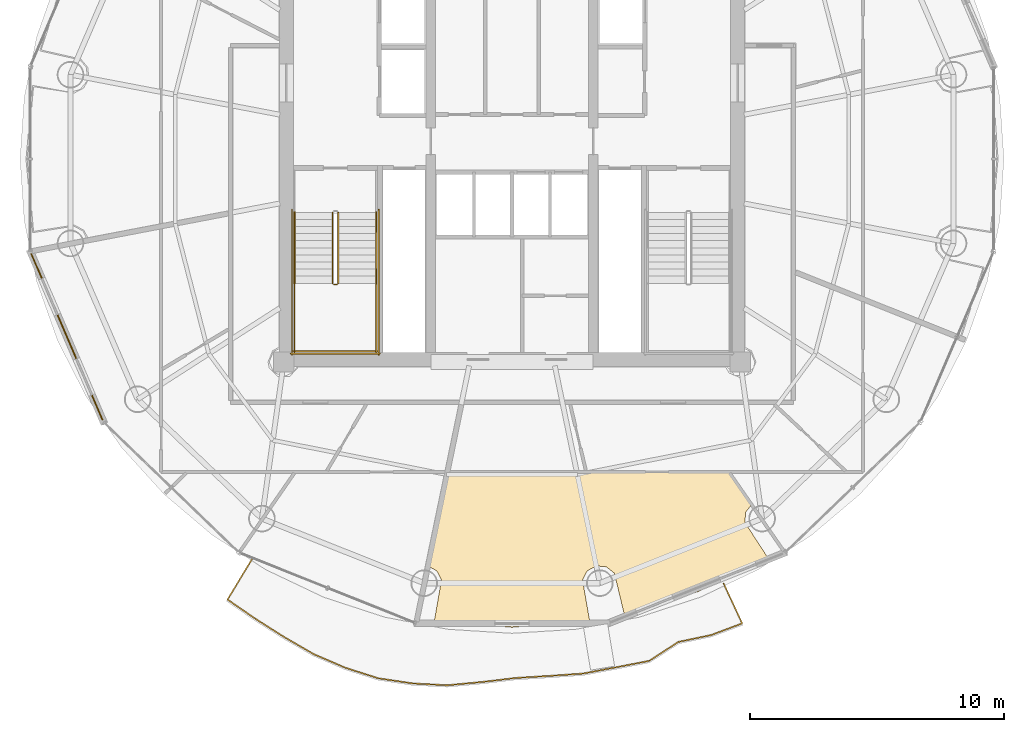
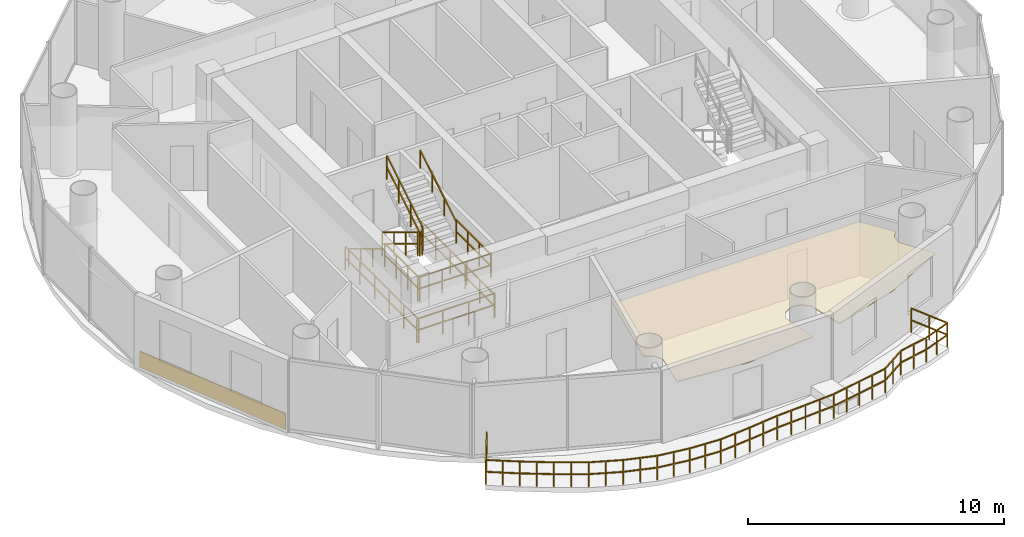
# One storey, part 21 of 23: 12 railings, 2 coverings.
"""IFC4 building model written with IfcOpenShell, lengths in metres."""

from ifc_helpers import new_model, si_unit, direction, frame, origin, origin_2d, place, context, subcontext, project, spatial, polyline, rectangle, outline, extrude, source, transform, mapped, material, layer, layer_set, type_object, element, save


model = new_model("IFC4")

# Units and contexts
model_context = context("Model", 3, precision=1e-05, world=origin(), true_north=direction((-0.2419218956, 0.970295726276)))
body_context = subcontext(model_context, "Body", "Model", "MODEL_VIEW")
ifc_project = project(units=[si_unit("LENGTHUNIT", "METRE"), si_unit("AREAUNIT", "SQUARE_METRE"), si_unit("VOLUMEUNIT", "CUBIC_METRE"), si_unit("PLANEANGLEUNIT", "RADIAN"), si_unit("MASSUNIT", "GRAM", prefix="KILO")], contexts=[model_context])

# Site, building, storey
site_placement = place(None, origin())
site = spatial("IfcSite", under=ifc_project, at=site_placement, CompositionType="ELEMENT")
building_placement = place(site_placement, origin())
building = spatial("IfcBuilding", under=site, at=building_placement, Name="Cobrevalo Terracotta Tower", CompositionType="ELEMENT")
storey_placement = place(building_placement, frame((0.0, 0.0, 248.199951171875)))
storey = spatial("IfcBuildingStorey", under=building, at=storey_placement, Name="L65", CompositionType="ELEMENT", Elevation=248.199951171875)

# Railing
ifc_material_1 = material(Name="Laminated structural glass and stainless steel", Category="steel")
railing_type_1 = type_object("IfcRailingType", Name="Balcony lobe structural glass & terracotta-cap balustrade 1180 mm", PredefinedType="BALUSTRADE", material=ifc_material_1)
railing_1_placement = place(storey_placement, frame((27.765380859375, 11.056640625, 0.0)))
element("IfcRailing", 1, at=railing_1_placement, inside=storey, type_object=railing_type_1, Name="L65 spiralling balcony lobe balustrade 2", PredefinedType="BALUSTRADE", context=body_context, shape_type="SweptSolid", body=[
    extrude(rectangle(XDim=0.048095703125, YDim=0.048095703125, at=origin_2d()), frame((0.0, 0.0, 1.15576171875), z_axis=(-0.517082299102, -0.855935684473, 0.0), x_axis=(0.855935684473, -0.517082299102, 0.0)), (0.0, 0.0, 1.0), 1.89990234375),
    extrude(rectangle(XDim=0.048095703125, YDim=0.048095703125, at=origin_2d()), frame((0.0, 0.0, 0.58984375), z_axis=(-0.517082299102, -0.855935684473, 0.0), x_axis=(0.855935684473, -0.517082299102, 0.0)), (0.0, 0.0, 1.0), 1.89990234375),
    extrude(rectangle(XDim=0.048095703125, YDim=0.048095703125, at=origin_2d()), frame((-0.982421875, -1.626220703125, 1.15576171875), z_axis=(0.823150569182, -0.567823159492, 0.0), x_axis=(0.567823159492, 0.823150569182, 0.0)), (0.0, 0.0, 1.0), 1.328125),
    extrude(rectangle(XDim=0.048095703125, YDim=0.048095703125, at=origin_2d()), frame((-0.982421875, -1.626220703125, 0.58984375), z_axis=(0.823150569182, -0.567823159492, 0.0), x_axis=(0.567823159492, 0.823150569182, 0.0)), (0.0, 0.0, 1.0), 1.328125),
    extrude(rectangle(XDim=0.048095703125, YDim=0.048095703125, at=origin_2d()), frame((0.11083984375, -2.38037109375, 1.15576171875), z_axis=(0.844214118979, -0.536006083282, 0.0), x_axis=(0.536006083282, 0.844214118979, 0.0)), (0.0, 0.0, 1.0), 1.344970703125),
    extrude(rectangle(XDim=0.048095703125, YDim=0.048095703125, at=origin_2d()), frame((0.11083984375, -2.38037109375, 0.58984375), z_axis=(0.844214118979, -0.536006083282, 0.0), x_axis=(0.536006083282, 0.844214118979, 0.0)), (0.0, 0.0, 1.0), 1.344970703125),
    extrude(rectangle(XDim=0.048095703125, YDim=0.048095703125, at=origin_2d()), frame((1.246337890625, -3.101318359375, 1.15576171875), z_axis=(0.865775018016, -0.500433430318, 0.0), x_axis=(0.500433430318, 0.865775018016, 0.0)), (0.0, 0.0, 1.0), 1.357177734375),
    extrude(rectangle(XDim=0.048095703125, YDim=0.048095703125, at=origin_2d()), frame((1.246337890625, -3.101318359375, 0.58984375), z_axis=(0.865775018016, -0.500433430318, 0.0), x_axis=(0.500433430318, 0.865775018016, 0.0)), (0.0, 0.0, 1.0), 1.357177734375),
    extrude(rectangle(XDim=0.048095703125, YDim=0.048095703125, at=origin_2d()), frame((2.42138671875, -3.780517578125, 1.15576171875), z_axis=(0.918550792408, -0.395302974649, 0.0), x_axis=(0.395302974649, 0.918550792408, 0.0)), (0.0, 0.0, 1.0), 1.362548828125),
    extrude(rectangle(XDim=0.048095703125, YDim=0.048095703125, at=origin_2d()), frame((2.42138671875, -3.780517578125, 0.58984375), z_axis=(0.918550792408, -0.395302974649, 0.0), x_axis=(0.395302974649, 0.918550792408, 0.0)), (0.0, 0.0, 1.0), 1.362548828125),
    extrude(rectangle(XDim=0.048095703125, YDim=0.048095703125, at=origin_2d()), frame((3.6728515625, -4.319091796875, 1.15576171875), z_axis=(0.952878704395, -0.303351569489, 0.0), x_axis=(0.303351569489, 0.952878704395, 0.0)), (0.0, 0.0, 1.0), 1.362548828125),
    extrude(rectangle(XDim=0.048095703125, YDim=0.048095703125, at=origin_2d()), frame((3.6728515625, -4.319091796875, 0.58984375), z_axis=(0.952878704395, -0.303351569489, 0.0), x_axis=(0.303351569489, 0.952878704395, 0.0)), (0.0, 0.0, 1.0), 1.362548828125),
    extrude(rectangle(XDim=0.048095703125, YDim=0.048095703125, at=origin_2d()), frame((4.97119140625, -4.732421875, 1.15576171875), z_axis=(0.989111207993, -0.14717003167, 0.0), x_axis=(0.14717003167, 0.989111207993, 0.0)), (0.0, 0.0, 1.0), 1.366943359375),
    extrude(rectangle(XDim=0.048095703125, YDim=0.048095703125, at=origin_2d()), frame((4.97119140625, -4.732421875, 0.58984375), z_axis=(0.989111207993, -0.14717003167, 0.0), x_axis=(0.14717003167, 0.989111207993, 0.0)), (0.0, 0.0, 1.0), 1.366943359375),
    extrude(rectangle(XDim=0.048095703125, YDim=0.048095703125, at=origin_2d()), frame((6.3232421875, -4.93359375, 1.15576171875), z_axis=(0.998620797723, -0.052502403325, 0.0), x_axis=(0.052502403325, 0.998620797723, 0.0)), (0.0, 0.0, 1.0), 1.362548828125),
    extrude(rectangle(XDim=0.048095703125, YDim=0.048095703125, at=origin_2d()), frame((6.3232421875, -4.93359375, 0.58984375), z_axis=(0.998620797723, -0.052502403325, 0.0), x_axis=(0.052502403325, 0.998620797723, 0.0)), (0.0, 0.0, 1.0), 1.362548828125),
    extrude(rectangle(XDim=0.048095703125, YDim=0.048095703125, at=origin_2d()), frame((7.683837890625, -5.005126953125, 1.15576171875), z_axis=(0.995644057367, 0.093235781916, 0.0), x_axis=(-0.093235781916, 0.995644057367, 0.0)), (0.0, 0.0, 1.0), 1.369384765625),
    extrude(rectangle(XDim=0.048095703125, YDim=0.048095703125, at=origin_2d()), frame((7.683837890625, -5.005126953125, 0.58984375), z_axis=(0.995644057367, 0.093235781916, 0.0), x_axis=(-0.093235781916, 0.995644057367, 0.0)), (0.0, 0.0, 1.0), 1.369384765625),
    extrude(rectangle(XDim=0.048095703125, YDim=0.048095703125, at=origin_2d()), frame((9.04736328125, -4.87744140625, 1.15576171875), z_axis=(0.992951250539, 0.118523474695, 0.0), x_axis=(-0.118523474695, 0.992951250539, 0.0)), (0.0, 0.0, 1.0), 1.34716796875),
    extrude(rectangle(XDim=0.048095703125, YDim=0.048095703125, at=origin_2d()), frame((9.04736328125, -4.87744140625, 0.58984375), z_axis=(0.992951250539, 0.118523474695, 0.0), x_axis=(-0.118523474695, 0.992951250539, 0.0)), (0.0, 0.0, 1.0), 1.34716796875),
    extrude(rectangle(XDim=0.048095703125, YDim=0.048095703125, at=origin_2d()), frame((10.385009765625, -4.7177734375, 1.15576171875), z_axis=(0.998146563993, 0.060855868978, 0.0), x_axis=(-0.060855868978, 0.998146563993, 0.0)), (0.0, 0.0, 1.0), 1.327880859375),
    extrude(rectangle(XDim=0.048095703125, YDim=0.048095703125, at=origin_2d()), frame((10.385009765625, -4.7177734375, 0.58984375), z_axis=(0.998146563993, 0.060855868978, 0.0), x_axis=(-0.060855868978, 0.998146563993, 0.0)), (0.0, 0.0, 1.0), 1.327880859375),
    extrude(rectangle(XDim=0.048095703125, YDim=0.048095703125, at=origin_2d()), frame((11.71044921875, -4.636962890625, 1.15576171875), z_axis=(0.997556661415, 0.069862058853, 0.0), x_axis=(-0.069862058853, 0.997556661415, 0.0)), (0.0, 0.0, 1.0), 1.327880859375),
    extrude(rectangle(XDim=0.048095703125, YDim=0.048095703125, at=origin_2d()), frame((11.71044921875, -4.636962890625, 0.58984375), z_axis=(0.997556661415, 0.069862058853, 0.0), x_axis=(-0.069862058853, 0.997556661415, 0.0)), (0.0, 0.0, 1.0), 1.327880859375),
    extrude(rectangle(XDim=0.048095703125, YDim=0.048095703125, at=origin_2d()), frame((13.03515625, -4.544189453125, 1.15576171875), z_axis=(0.982579327919, 0.185843655655, 0.0), x_axis=(-0.185843655655, 0.982579327919, 0.0)), (0.0, 0.0, 1.0), 1.326904296875),
    extrude(rectangle(XDim=0.048095703125, YDim=0.048095703125, at=origin_2d()), frame((13.03515625, -4.544189453125, 0.58984375), z_axis=(0.982579327919, 0.185843655655, 0.0), x_axis=(-0.185843655655, 0.982579327919, 0.0)), (0.0, 0.0, 1.0), 1.326904296875),
    extrude(rectangle(XDim=0.048095703125, YDim=0.048095703125, at=origin_2d()), frame((14.3388671875, -4.297607421875, 1.15576171875), z_axis=(0.981627836497, 0.190805635698, 0.0), x_axis=(-0.190805635698, 0.981627836497, 0.0)), (0.0, 0.0, 1.0), 1.326904296875),
    extrude(rectangle(XDim=0.048095703125, YDim=0.048095703125, at=origin_2d()), frame((14.3388671875, -4.297607421875, 0.58984375), z_axis=(0.981627836497, 0.190805635698, 0.0), x_axis=(-0.190805635698, 0.981627836497, 0.0)), (0.0, 0.0, 1.0), 1.326904296875),
    extrude(rectangle(XDim=0.048095703125, YDim=0.048095703125, at=origin_2d()), frame((15.641357421875, -4.04443359375, 1.15576171875), z_axis=(0.838858069873, 0.544350198502, 0.0), x_axis=(-0.544350198502, 0.838858069873, 0.0)), (0.0, 0.0, 1.0), 1.3720703125),
    extrude(rectangle(XDim=0.048095703125, YDim=0.048095703125, at=origin_2d()), frame((15.641357421875, -4.04443359375, 0.58984375), z_axis=(0.838858069873, 0.544350198502, 0.0), x_axis=(-0.544350198502, 0.838858069873, 0.0)), (0.0, 0.0, 1.0), 1.3720703125),
    extrude(rectangle(XDim=0.048095703125, YDim=0.048095703125, at=origin_2d()), frame((16.792236328125, -3.297607421875, 1.15576171875), z_axis=(0.978610646149, 0.205721178405, 0.0), x_axis=(-0.205721178405, 0.978610646149, 0.0)), (0.0, 0.0, 1.0), 1.318603515625),
    extrude(rectangle(XDim=0.048095703125, YDim=0.048095703125, at=origin_2d()), frame((16.792236328125, -3.297607421875, 0.58984375), z_axis=(0.978610646149, 0.205721178405, 0.0), x_axis=(-0.205721178405, 0.978610646149, 0.0)), (0.0, 0.0, 1.0), 1.318603515625),
    extrude(rectangle(XDim=0.048095703125, YDim=0.048095703125, at=origin_2d()), frame((18.08251953125, -3.0263671875, 1.15576171875), z_axis=(0.936298563014, 0.351205069579, 0.0), x_axis=(-0.351205069579, 0.936298563014, 0.0)), (0.0, 0.0, 1.0), 1.31103515625),
    extrude(rectangle(XDim=0.048095703125, YDim=0.048095703125, at=origin_2d()), frame((18.08251953125, -3.0263671875, 0.58984375), z_axis=(0.936298563014, 0.351205069579, 0.0), x_axis=(-0.351205069579, 0.936298563014, 0.0)), (0.0, 0.0, 1.0), 1.31103515625),
    extrude(rectangle(XDim=0.048095703125, YDim=0.048095703125, at=origin_2d()), frame((19.31005859375, -2.56591796875, 1.15576171875), z_axis=(-0.420568580849, 0.907260750172, 0.0), x_axis=(-0.907260750172, -0.420568580849, 0.0)), (0.0, 0.0, 1.0), 1.731689453125),
    extrude(rectangle(XDim=0.048095703125, YDim=0.048095703125, at=origin_2d()), frame((19.31005859375, -2.56591796875, 0.58984375), z_axis=(-0.420568580849, 0.907260750172, 0.0), x_axis=(-0.907260750172, -0.420568580849, 0.0)), (0.0, 0.0, 1.0), 1.731689453125),
    extrude(rectangle(XDim=0.0419921875, YDim=0.0419921875, at=origin_2d()), origin(), (0.0, 0.0, 1.0), 1.1318359375),
    extrude(rectangle(XDim=0.0419921875, YDim=0.0419921875, at=origin_2d()), frame((-0.4912109375, -0.81298828125, 0.0)), (0.0, 0.0, 1.0), 1.1318359375),
    extrude(rectangle(XDim=0.0419921875, YDim=0.0419921875, at=origin_2d()), frame((-0.982421875, -1.626220703125, 0.0)), (0.0, 0.0, 1.0), 1.1318359375),
    extrude(rectangle(XDim=0.0419921875, YDim=0.0419921875, at=origin_2d()), frame((-0.435791015625, -2.00341796875, 0.0)), (0.0, 0.0, 1.0), 1.1318359375),
    extrude(rectangle(XDim=0.0419921875, YDim=0.0419921875, at=origin_2d()), frame((0.11083984375, -2.38037109375, 0.0)), (0.0, 0.0, 1.0), 1.1318359375),
    extrude(rectangle(XDim=0.0419921875, YDim=0.0419921875, at=origin_2d()), frame((0.6787109375, -2.74072265625, 0.0)), (0.0, 0.0, 1.0), 1.1318359375),
    extrude(rectangle(XDim=0.0419921875, YDim=0.0419921875, at=origin_2d()), frame((1.246337890625, -3.101318359375, 0.0)), (0.0, 0.0, 1.0), 1.1318359375),
    extrude(rectangle(XDim=0.0419921875, YDim=0.0419921875, at=origin_2d()), frame((1.833984375, -3.44091796875, 0.0)), (0.0, 0.0, 1.0), 1.1318359375),
    extrude(rectangle(XDim=0.0419921875, YDim=0.0419921875, at=origin_2d()), frame((2.42138671875, -3.780517578125, 0.0)), (0.0, 0.0, 1.0), 1.1318359375),
    extrude(rectangle(XDim=0.0419921875, YDim=0.0419921875, at=origin_2d()), frame((3.047119140625, -4.0498046875, 0.0)), (0.0, 0.0, 1.0), 1.1318359375),
    extrude(rectangle(XDim=0.0419921875, YDim=0.0419921875, at=origin_2d()), frame((3.6728515625, -4.319091796875, 0.0)), (0.0, 0.0, 1.0), 1.1318359375),
    extrude(rectangle(XDim=0.0419921875, YDim=0.0419921875, at=origin_2d()), frame((4.322021484375, -4.52587890625, 0.0)), (0.0, 0.0, 1.0), 1.1318359375),
    extrude(rectangle(XDim=0.0419921875, YDim=0.0419921875, at=origin_2d()), frame((4.97119140625, -4.732421875, 0.0)), (0.0, 0.0, 1.0), 1.1318359375),
    extrude(rectangle(XDim=0.0419921875, YDim=0.0419921875, at=origin_2d()), frame((5.647216796875, -4.8330078125, 0.0)), (0.0, 0.0, 1.0), 1.1318359375),
    extrude(rectangle(XDim=0.0419921875, YDim=0.0419921875, at=origin_2d()), frame((6.3232421875, -4.93359375, 0.0)), (0.0, 0.0, 1.0), 1.1318359375),
    extrude(rectangle(XDim=0.0419921875, YDim=0.0419921875, at=origin_2d()), frame((7.00341796875, -4.96923828125, 0.0)), (0.0, 0.0, 1.0), 1.1318359375),
    extrude(rectangle(XDim=0.0419921875, YDim=0.0419921875, at=origin_2d()), frame((7.683837890625, -5.005126953125, 0.0)), (0.0, 0.0, 1.0), 1.1318359375),
    extrude(rectangle(XDim=0.0419921875, YDim=0.0419921875, at=origin_2d()), frame((8.36572265625, -4.94140625, 0.0)), (0.0, 0.0, 1.0), 1.1318359375),
    extrude(rectangle(XDim=0.0419921875, YDim=0.0419921875, at=origin_2d()), frame((9.04736328125, -4.87744140625, 0.0)), (0.0, 0.0, 1.0), 1.1318359375),
    extrude(rectangle(XDim=0.0419921875, YDim=0.0419921875, at=origin_2d()), frame((9.71630859375, -4.797607421875, 0.0)), (0.0, 0.0, 1.0), 1.1318359375),
    extrude(rectangle(XDim=0.0419921875, YDim=0.0419921875, at=origin_2d()), frame((10.385009765625, -4.7177734375, 0.0)), (0.0, 0.0, 1.0), 1.1318359375),
    extrude(rectangle(XDim=0.0419921875, YDim=0.0419921875, at=origin_2d()), frame((11.0478515625, -4.67724609375, 0.0)), (0.0, 0.0, 1.0), 1.1318359375),
    extrude(rectangle(XDim=0.0419921875, YDim=0.0419921875, at=origin_2d()), frame((11.71044921875, -4.636962890625, 0.0)), (0.0, 0.0, 1.0), 1.1318359375),
    extrude(rectangle(XDim=0.0419921875, YDim=0.0419921875, at=origin_2d()), frame((12.372802734375, -4.590576171875, 0.0)), (0.0, 0.0, 1.0), 1.1318359375),
    extrude(rectangle(XDim=0.0419921875, YDim=0.0419921875, at=origin_2d()), frame((13.03515625, -4.544189453125, 0.0)), (0.0, 0.0, 1.0), 1.1318359375),
    extrude(rectangle(XDim=0.0419921875, YDim=0.0419921875, at=origin_2d()), frame((13.68701171875, -4.4208984375, 0.0)), (0.0, 0.0, 1.0), 1.1318359375),
    extrude(rectangle(XDim=0.0419921875, YDim=0.0419921875, at=origin_2d()), frame((14.3388671875, -4.297607421875, 0.0)), (0.0, 0.0, 1.0), 1.1318359375),
    extrude(rectangle(XDim=0.0419921875, YDim=0.0419921875, at=origin_2d()), frame((14.990234375, -4.1708984375, 0.0)), (0.0, 0.0, 1.0), 1.1318359375),
    extrude(rectangle(XDim=0.0419921875, YDim=0.0419921875, at=origin_2d()), frame((15.641357421875, -4.04443359375, 0.0)), (0.0, 0.0, 1.0), 1.1318359375),
    extrude(rectangle(XDim=0.0419921875, YDim=0.0419921875, at=origin_2d()), frame((16.216796875, -3.6708984375, 0.0)), (0.0, 0.0, 1.0), 1.1318359375),
    extrude(rectangle(XDim=0.0419921875, YDim=0.0419921875, at=origin_2d()), frame((16.792236328125, -3.297607421875, 0.0)), (0.0, 0.0, 1.0), 1.1318359375),
    extrude(rectangle(XDim=0.0419921875, YDim=0.0419921875, at=origin_2d()), frame((17.4375, -3.162109375, 0.0)), (0.0, 0.0, 1.0), 1.1318359375),
    extrude(rectangle(XDim=0.0419921875, YDim=0.0419921875, at=origin_2d()), frame((18.08251953125, -3.0263671875, 0.0)), (0.0, 0.0, 1.0), 1.1318359375),
    extrude(rectangle(XDim=0.0419921875, YDim=0.0419921875, at=origin_2d()), frame((18.6962890625, -2.796142578125, 0.0)), (0.0, 0.0, 1.0), 1.1318359375),
    extrude(rectangle(XDim=0.0419921875, YDim=0.0419921875, at=origin_2d()), frame((19.31005859375, -2.56591796875, 0.0)), (0.0, 0.0, 1.0), 1.1318359375),
    extrude(rectangle(XDim=0.0419921875, YDim=0.0419921875, at=origin_2d()), frame((18.94580078125, -1.7802734375, 0.0)), (0.0, 0.0, 1.0), 1.1318359375),
    extrude(rectangle(XDim=0.0419921875, YDim=0.0419921875, at=origin_2d()), frame((18.581787109375, -0.994873046875, 0.0)), (0.0, 0.0, 1.0), 1.1318359375),
])

# Covering
ifc_material_2 = material(Name="Acoustic perforated gypsum ceiling", Category="gypsum")
ifc_layer_1 = layer(ifc_material_2, 0.050048828125)
ifc_layer_set_1 = layer_set([ifc_layer_1], Name="Acoustic perforated gypsum ceiling")
covering_type_1 = type_object("IfcCoveringType", Name="Perforated Acoustic Gypsum Ceiling 50", PredefinedType="CEILING", material=ifc_layer_set_1)
covering_1_placement = place(storey_placement, frame((0.0, 0.0, 2.5)))
element("IfcCovering", 2, at=covering_1_placement, inside=storey, type_object=covering_type_1, Name="Flat L65C Living and Dining Room acoustic ceiling", PredefinedType="CEILING", context=body_context, shape_type="SweptSolid", body=[
    extrude(outline(polyline([(45.333740234375, 9.740478515625), (42.424560546875, 8.861328125), (42.03759765625, 10.46826171875), (41.7236328125, 10.7216796875), (41.322021484375, 10.758056640625), (40.9677734375, 10.565185546875), (40.7802734375, 10.207763671875), (41.05908203125, 8.599853515625), (38.0, 8.3349609375), (34.94091796875, 8.599853515625), (35.2197265625, 10.207763671875), (35.0322265625, 10.565185546875), (34.6650390625, 10.76220703125), (35.43408203125, 14.489990234375), (46.563720703125, 14.489990234375), (47.462890625, 13.192626953125), (47.214599609375, 12.877197265625), (47.1826171875, 12.47509765625), (48.062255859375, 11.11767578125), (45.333740234375, 9.740478515625)])), origin(), (0.0, 0.0, 1.0), 0.050048828125),
])

# Railings
ifc_material_3 = material(Name="Brushed stainless steel", Category="steel")
railing_type_2 = type_object("IfcRailingType", Name="Stainless Steel Stair Handrail 900", PredefinedType="HANDRAIL", material=ifc_material_3)
railing_2_placement = place(storey_placement, frame((29.425048828125, 24.699951171875, 0.17041015625)))
element("IfcRailing", 3, at=railing_2_placement, inside=storey, type_object=railing_type_2, Name="L65 ST-1 stair handrail 1", PredefinedType="HANDRAIL", context=body_context, shape_type="SweptSolid", body=[
    extrude(rectangle(XDim=0.048095703125, YDim=0.048095703125, at=origin_2d()), frame((0.0, 0.0, 0.8759765625), z_axis=(0.0, -0.854169791009, 0.51999420009), x_axis=(1.0, 0.0, 0.0)), (0.0, 0.0, 1.0), 3.278076171875),
    extrude(rectangle(XDim=0.0419921875, YDim=0.0419921875, at=origin_2d()), origin(), (0.0, 0.0, 1.0), 0.851806640625),
    extrude(rectangle(XDim=0.0419921875, YDim=0.0419921875, at=origin_2d()), frame((0.0, -0.933349609375, 0.568115234375)), (0.0, 0.0, 1.0), 0.851806640625),
    extrude(rectangle(XDim=0.0419921875, YDim=0.0419921875, at=origin_2d()), frame((0.0, -1.86669921875, 1.136474609375)), (0.0, 0.0, 1.0), 0.851806640625),
    extrude(rectangle(XDim=0.0419921875, YDim=0.0419921875, at=origin_2d()), frame((0.0, -2.800048828125, 1.70458984375)), (0.0, 0.0, 1.0), 0.851806640625),
])
railing_3_placement = place(storey_placement, frame((32.64501953125, 21.89990234375, 2.04541015625)))
element("IfcRailing", 4, at=railing_3_placement, inside=storey, type_object=railing_type_2, Name="L65 ST-1 stair handrail 2", PredefinedType="HANDRAIL", context=body_context, shape_type="SweptSolid", body=[
    extrude(rectangle(XDim=0.048095703125, YDim=0.048095703125, at=origin_2d()), frame((0.0, 0.0, 0.8759765625), z_axis=(0.0, 0.854169791009, 0.51999420009), x_axis=(-1.0, 0.0, 0.0)), (0.0, 0.0, 1.0), 3.278076171875),
    extrude(rectangle(XDim=0.0419921875, YDim=0.0419921875, at=origin_2d()), origin(), (0.0, 0.0, 1.0), 0.851806640625),
    extrude(rectangle(XDim=0.0419921875, YDim=0.0419921875, at=origin_2d()), frame((0.0, 0.933349609375, 0.568115234375)), (0.0, 0.0, 1.0), 0.851806640625),
    extrude(rectangle(XDim=0.0419921875, YDim=0.0419921875, at=origin_2d()), frame((0.0, 1.86669921875, 1.136474609375)), (0.0, 0.0, 1.0), 0.851806640625),
    extrude(rectangle(XDim=0.0419921875, YDim=0.0419921875, at=origin_2d()), frame((0.0, 2.800048828125, 1.70458984375)), (0.0, 0.0, 1.0), 0.851806640625),
])
ifc_material_4 = material(Name="Painted galvanized steel", Category="steel")
railing_type_3 = type_object("IfcRailingType", Name="Stair Well Guard Balustrade 1150", PredefinedType="GUARDRAIL", material=ifc_material_4)
railing_4_placement = place(storey_placement, frame((30.925048828125, 24.699951171875, 0.17041015625)))
element("IfcRailing", 5, at=railing_4_placement, inside=storey, type_object=railing_type_3, Name="L65 ST-1 stair guard 1", PredefinedType="GUARDRAIL", context=body_context, shape_type="SweptSolid", body=[
    extrude(rectangle(XDim=0.048095703125, YDim=0.048095703125, at=origin_2d()), frame((0.0, 0.0, 1.1259765625), z_axis=(0.0, -0.854169791009, 0.51999420009), x_axis=(1.0, 0.0, 0.0)), (0.0, 0.0, 1.0), 3.278076171875),
    extrude(rectangle(XDim=0.048095703125, YDim=0.048095703125, at=origin_2d()), frame((0.0, 0.0, 0.574951171875), z_axis=(0.0, -0.854169791009, 0.51999420009), x_axis=(1.0, 0.0, 0.0)), (0.0, 0.0, 1.0), 3.278076171875),
    extrude(rectangle(XDim=0.0419921875, YDim=0.0419921875, at=origin_2d()), origin(), (0.0, 0.0, 1.0), 1.101806640625),
    extrude(rectangle(XDim=0.0419921875, YDim=0.0419921875, at=origin_2d()), frame((0.0, -0.933349609375, 0.568115234375)), (0.0, 0.0, 1.0), 1.101806640625),
    extrude(rectangle(XDim=0.0419921875, YDim=0.0419921875, at=origin_2d()), frame((0.0, -1.86669921875, 1.136474609375)), (0.0, 0.0, 1.0), 1.101806640625),
    extrude(rectangle(XDim=0.0419921875, YDim=0.0419921875, at=origin_2d()), frame((0.0, -2.800048828125, 1.70458984375)), (0.0, 0.0, 1.0), 1.101806640625),
])
railing_5_placement = place(storey_placement, frame((30.97509765625, 21.85009765625, 1.875)))
element("IfcRailing", 6, at=railing_5_placement, inside=storey, type_object=railing_type_3, Name="L65 ST-1 stair guard 2", PredefinedType="GUARDRAIL", context=body_context, shape_type="SweptSolid", body=[
    extrude(rectangle(XDim=0.048095703125, YDim=0.048095703125, at=origin_2d()), frame((0.0, 0.0, 1.1259765625), z_axis=(1.0, 0.0, 0.0), x_axis=(0.0, 1.0, 0.0)), (0.0, 0.0, 1.0), 0.119873046875),
    extrude(rectangle(XDim=0.048095703125, YDim=0.048095703125, at=origin_2d()), frame((0.0, 0.0, 0.574951171875), z_axis=(1.0, 0.0, 0.0), x_axis=(0.0, 1.0, 0.0)), (0.0, 0.0, 1.0), 0.119873046875),
    extrude(rectangle(XDim=0.0419921875, YDim=0.0419921875, at=origin_2d()), origin(), (0.0, 0.0, 1.0), 1.101806640625),
    extrude(rectangle(XDim=0.0419921875, YDim=0.0419921875, at=origin_2d()), frame((0.119873046875, 0.0, 0.0)), (0.0, 0.0, 1.0), 1.101806640625),
])
for number, where, name in (
    (7, (29.425048828125, 21.89990234375, 1.875), "L65 ST-1 stair guard 3"),
    (8, (32.64501953125, 21.89990234375, 1.875), "L65 ST-1 stair guard 4"),
):
    element("IfcRailing", number, at=place(storey_placement, frame(where)), inside=storey, type_object=railing_type_3, Name=name, PredefinedType="GUARDRAIL", context=body_context, shape_type="SweptSolid", body=[
        extrude(rectangle(XDim=0.048095703125, YDim=0.048095703125, at=origin_2d()), frame((0.0, 0.0, 1.1259765625), z_axis=(0.0, -1.0, 0.0), x_axis=(1.0, 0.0, 0.0)), (0.0, 0.0, 1.0), 2.724853515625),
        extrude(rectangle(XDim=0.048095703125, YDim=0.048095703125, at=origin_2d()), frame((0.0, 0.0, 0.574951171875), z_axis=(0.0, -1.0, 0.0), x_axis=(1.0, 0.0, 0.0)), (0.0, 0.0, 1.0), 2.724853515625),
        extrude(rectangle(XDim=0.0419921875, YDim=0.0419921875, at=origin_2d()), origin(), (0.0, 0.0, 1.0), 1.101806640625),
        extrude(rectangle(XDim=0.0419921875, YDim=0.0419921875, at=origin_2d()), frame((0.0, -0.908203125, 0.0)), (0.0, 0.0, 1.0), 1.101806640625),
        extrude(rectangle(XDim=0.0419921875, YDim=0.0419921875, at=origin_2d()), frame((0.0, -1.816650390625, 0.0)), (0.0, 0.0, 1.0), 1.101806640625),
        extrude(rectangle(XDim=0.0419921875, YDim=0.0419921875, at=origin_2d()), frame((0.0, -2.724853515625, 0.0)), (0.0, 0.0, 1.0), 1.101806640625),
    ])
railing_6_placement = place(storey_placement, frame((29.375, 19.22509765625, 1.875)))
element("IfcRailing", 9, at=railing_6_placement, inside=storey, type_object=railing_type_3, Name="L65 ST-1 stair guard 5", PredefinedType="GUARDRAIL", context=body_context, shape_type="SweptSolid", body=[
    extrude(rectangle(XDim=0.048095703125, YDim=0.048095703125, at=origin_2d()), frame((0.0, 0.0, 1.1259765625), z_axis=(1.0, 0.0, 0.0), x_axis=(0.0, 1.0, 0.0)), (0.0, 0.0, 1.0), 3.320068359375),
    extrude(rectangle(XDim=0.048095703125, YDim=0.048095703125, at=origin_2d()), frame((0.0, 0.0, 0.574951171875), z_axis=(1.0, 0.0, 0.0), x_axis=(0.0, 1.0, 0.0)), (0.0, 0.0, 1.0), 3.320068359375),
    extrude(rectangle(XDim=0.0419921875, YDim=0.0419921875, at=origin_2d()), origin(), (0.0, 0.0, 1.0), 1.101806640625),
    extrude(rectangle(XDim=0.0419921875, YDim=0.0419921875, at=origin_2d()), frame((1.106689453125, 0.0, 0.0)), (0.0, 0.0, 1.0), 1.101806640625),
    extrude(rectangle(XDim=0.0419921875, YDim=0.0419921875, at=origin_2d()), frame((2.21337890625, 0.0, 0.0)), (0.0, 0.0, 1.0), 1.101806640625),
    extrude(rectangle(XDim=0.0419921875, YDim=0.0419921875, at=origin_2d()), frame((3.320068359375, 0.0, 0.0)), (0.0, 0.0, 1.0), 1.101806640625),
])
railing_7_placement = place(storey_placement, frame((31.14501953125, 21.89990234375, 2.04541015625)))
element("IfcRailing", 10, at=railing_7_placement, inside=storey, type_object=railing_type_3, Name="L65 ST-1 stair guard 6", PredefinedType="GUARDRAIL", context=body_context, shape_type="SweptSolid", body=[
    extrude(rectangle(XDim=0.048095703125, YDim=0.048095703125, at=origin_2d()), frame((0.0, 0.0, 1.1259765625), z_axis=(0.0, 0.854169791009, 0.51999420009), x_axis=(-1.0, 0.0, 0.0)), (0.0, 0.0, 1.0), 3.278076171875),
    extrude(rectangle(XDim=0.048095703125, YDim=0.048095703125, at=origin_2d()), frame((0.0, 0.0, 0.574951171875), z_axis=(0.0, 0.854169791009, 0.51999420009), x_axis=(-1.0, 0.0, 0.0)), (0.0, 0.0, 1.0), 3.278076171875),
    extrude(rectangle(XDim=0.0419921875, YDim=0.0419921875, at=origin_2d()), origin(), (0.0, 0.0, 1.0), 1.101806640625),
    extrude(rectangle(XDim=0.0419921875, YDim=0.0419921875, at=origin_2d()), frame((0.0, 0.933349609375, 0.568115234375)), (0.0, 0.0, 1.0), 1.101806640625),
    extrude(rectangle(XDim=0.0419921875, YDim=0.0419921875, at=origin_2d()), frame((0.0, 1.86669921875, 1.136474609375)), (0.0, 0.0, 1.0), 1.101806640625),
    extrude(rectangle(XDim=0.0419921875, YDim=0.0419921875, at=origin_2d()), frame((0.0, 2.800048828125, 1.70458984375)), (0.0, 0.0, 1.0), 1.101806640625),
])
for number, where, name in (
    (11, (29.324951171875, 24.800048828125, 0.0), "L65 ST-1 stair guard 10"),
    (12, (32.7451171875, 24.800048828125, 0.0), "L65 ST-1 stair guard 11"),
):
    element("IfcRailing", number, at=place(storey_placement, frame(where)), inside=storey, type_object=railing_type_3, Name=name, PredefinedType="GUARDRAIL", context=body_context, shape_type="SweptSolid", body=[
        extrude(rectangle(XDim=0.048095703125, YDim=0.048095703125, at=origin_2d()), frame((0.0, 0.0, 1.1259765625), z_axis=(0.0, -1.0, 0.0), x_axis=(1.0, 0.0, 0.0)), (0.0, 0.0, 1.0), 5.72509765625),
        extrude(rectangle(XDim=0.048095703125, YDim=0.048095703125, at=origin_2d()), frame((0.0, 0.0, 0.574951171875), z_axis=(0.0, -1.0, 0.0), x_axis=(1.0, 0.0, 0.0)), (0.0, 0.0, 1.0), 5.72509765625),
        extrude(rectangle(XDim=0.0419921875, YDim=0.0419921875, at=origin_2d()), origin(), (0.0, 0.0, 1.0), 1.101806640625),
        extrude(rectangle(XDim=0.0419921875, YDim=0.0419921875, at=origin_2d()), frame((0.0, -1.14501953125, 0.0)), (0.0, 0.0, 1.0), 1.101806640625),
        extrude(rectangle(XDim=0.0419921875, YDim=0.0419921875, at=origin_2d()), frame((0.0, -2.2900390625, 0.0)), (0.0, 0.0, 1.0), 1.101806640625),
        extrude(rectangle(XDim=0.0419921875, YDim=0.0419921875, at=origin_2d()), frame((0.0, -3.43505859375, 0.0)), (0.0, 0.0, 1.0), 1.101806640625),
        extrude(rectangle(XDim=0.0419921875, YDim=0.0419921875, at=origin_2d()), frame((0.0, -4.580078125, 0.0)), (0.0, 0.0, 1.0), 1.101806640625),
        extrude(rectangle(XDim=0.0419921875, YDim=0.0419921875, at=origin_2d()), frame((0.0, -5.72509765625, 0.0)), (0.0, 0.0, 1.0), 1.101806640625),
    ])
railing_8_placement = place(storey_placement, frame((29.27490234375, 19.125, 0.0)))
element("IfcRailing", 13, at=railing_8_placement, inside=storey, type_object=railing_type_3, Name="L65 ST-1 stair guard 12", PredefinedType="GUARDRAIL", context=body_context, shape_type="SweptSolid", body=[
    extrude(rectangle(XDim=0.048095703125, YDim=0.048095703125, at=origin_2d()), frame((0.0, 0.0, 1.1259765625), z_axis=(1.0, 0.0, 0.0), x_axis=(0.0, 1.0, 0.0)), (0.0, 0.0, 1.0), 3.52001953125),
    extrude(rectangle(XDim=0.048095703125, YDim=0.048095703125, at=origin_2d()), frame((0.0, 0.0, 0.574951171875), z_axis=(1.0, 0.0, 0.0), x_axis=(0.0, 1.0, 0.0)), (0.0, 0.0, 1.0), 3.52001953125),
    extrude(rectangle(XDim=0.0419921875, YDim=0.0419921875, at=origin_2d()), origin(), (0.0, 0.0, 1.0), 1.101806640625),
    extrude(rectangle(XDim=0.0419921875, YDim=0.0419921875, at=origin_2d()), frame((1.17333984375, 0.0, 0.0)), (0.0, 0.0, 1.0), 1.101806640625),
    extrude(rectangle(XDim=0.0419921875, YDim=0.0419921875, at=origin_2d()), frame((2.3466796875, 0.0, 0.0)), (0.0, 0.0, 1.0), 1.101806640625),
    extrude(rectangle(XDim=0.0419921875, YDim=0.0419921875, at=origin_2d()), frame((3.52001953125, 0.0, 0.0)), (0.0, 0.0, 1.0), 1.101806640625),
])

# Covering
ifc_material_5 = material(Name="Glazed terracotta facade cladding tile", Category="masonry")
ifc_layer_2 = layer(ifc_material_5, 0.044921875)
ifc_layer_set_2 = layer_set([ifc_layer_2], Name="Glazed terracotta facade cladding tile")
covering_type_2 = type_object("IfcCoveringType", Name="Architectural terracotta rainscreen spandrel cladding 45 mm", PredefinedType="CLADDING", material=ifc_layer_set_2)
shared_shape = source(origin(), body_context, "Body", "SweptSolid", [
    extrude(rectangle(XDim=7.125244140625, YDim=0.044921875, at=origin_2d()), origin(), (0.0, 0.0, 1.0), 0.760009765625),
])
covering_2_placement = place(storey_placement, frame((20.4482421875, 19.79248046875, 0.0400390625), z_axis=(0.0, 0.0, 1.0), x_axis=(0.394828845134, -0.918754691444, 0.0)))
element("IfcCovering", 14, at=covering_2_placement, inside=storey, type_object=covering_type_2, Name="L65 terracotta spandrel cladding S09", PredefinedType="CLADDING", context=body_context, shape_type="MappedRepresentation", body=[
    mapped(shared_shape, transform((0.0, 0.0, 0.0), scale=1.0)),
])

save(model, "model.ifc")
